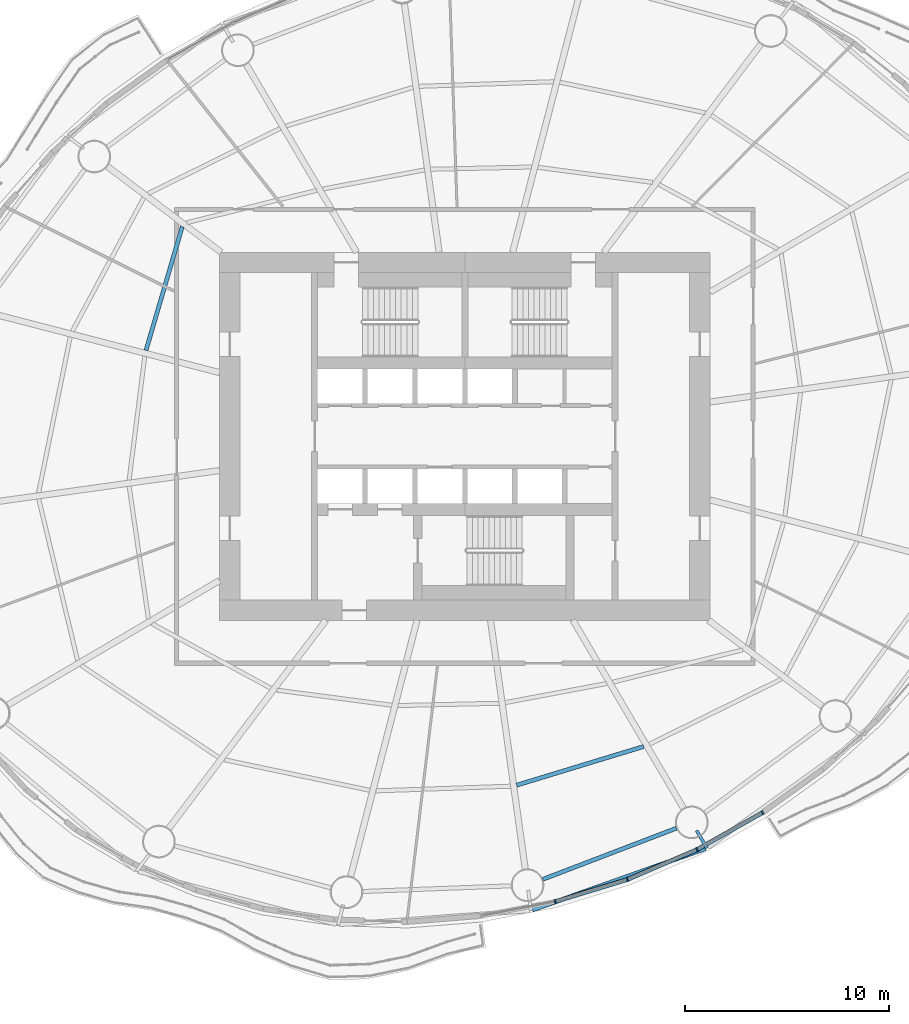
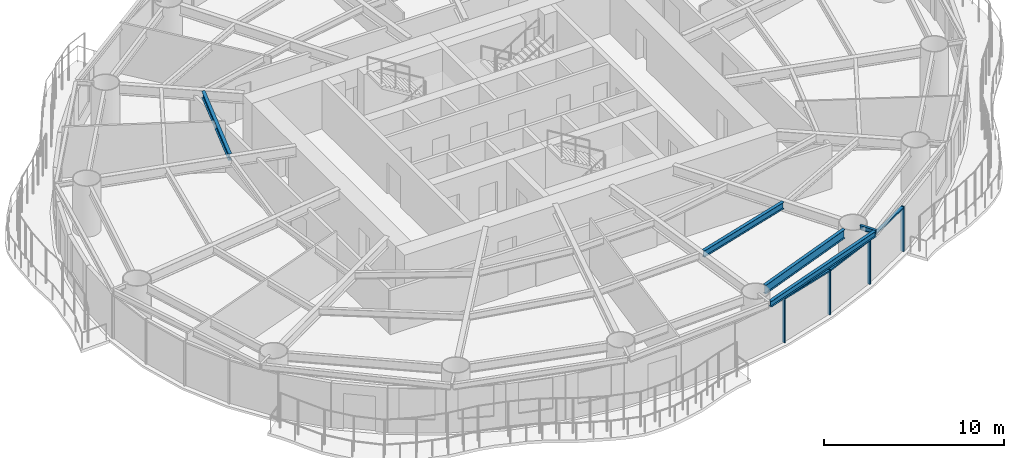
# One storey, part 3 of 16: 7 members, 5 beams, 3 elements without a shape of their own.
"""IFC4 building model written with IfcOpenShell, lengths in metres."""

from ifc_helpers import new_model, si_unit, direction, frame, origin, origin_2d, place, context, subcontext, project, spatial, rectangle, i_section, extrude, material, material_profile, profile_set, type_object, element, aggregate, save


model = new_model("IFC4")

# Units and contexts
model_context = context("Model", 3, precision=1e-05, world=origin(), true_north=direction((0.0, 1.0)))
body_context = subcontext(model_context, "Body", "Model", "MODEL_VIEW")
ifc_project = project(units=[si_unit("LENGTHUNIT", "METRE"), si_unit("AREAUNIT", "SQUARE_METRE"), si_unit("VOLUMEUNIT", "CUBIC_METRE"), si_unit("PLANEANGLEUNIT", "RADIAN"), si_unit("MASSUNIT", "GRAM", prefix="KILO")], contexts=[model_context])

# Site, building, storey
site_placement = place(None, origin())
site = spatial("IfcSite", under=ifc_project, at=site_placement, CompositionType="ELEMENT")
building_placement = place(site_placement, origin())
building = spatial("IfcBuilding", under=site, at=building_placement, Name="Vermilion Reach Broadcast Tower", CompositionType="ELEMENT")
storey_placement = place(building_placement, frame((0.0, 0.0, 113.800048828125)))
storey = spatial("IfcBuildingStorey", under=building, at=storey_placement, Name="L26", CompositionType="ELEMENT", Elevation=113.800048828125)

# Beams
ifc_material_1 = material(Name="Steel S355J2", Category="steel")
ifc_material_profile_1 = material_profile(ifc_material_1, i_section(OverallWidth=0.199951171875, OverallDepth=0.39990234375, WebThickness=0.008056640625, FlangeThickness=0.012939453125, at=origin_2d()), Name="S355J2 HN 400x200x8x13")
ifc_profile_set_1 = profile_set([ifc_material_profile_1], Name="Steel S355J2")
beam_type_1 = type_object("IfcBeamType", Name="EB2 HN 400x200x8x13", PredefinedType="BEAM", material=ifc_profile_set_1)
beam_1_placement = place(storey_placement, frame((-2.68896484375, -23.167724609375, 3.25), z_axis=(0.942430511192, 0.334402050793, 0.0), x_axis=(-0.334402050793, 0.942430511192, 0.0)))
element("IfcBeam", 1, at=beam_1_placement, inside=storey, type_object=beam_type_1, Name="Edge beam EB2-12", PredefinedType="BEAM", context=body_context, shape_type="SweptSolid", body=[
    extrude(i_section(OverallWidth=0.199951171875, OverallDepth=0.39990234375, WebThickness=0.008056640625, FlangeThickness=0.012939453125, at=origin_2d()), origin(), (0.0, 0.0, 1.0), 8.97412109375),
])
ifc_material_2 = material(Name="Steel S355J2", Category="steel")
ifc_material_profile_2 = material_profile(ifc_material_2, i_section(OverallWidth=0.14990234375, OverallDepth=0.300048828125, WebThickness=0.006591796875, FlangeThickness=0.009033203125, at=origin_2d()), Name="S355J2 HN 300x150x6.5x9")
ifc_profile_set_2 = profile_set([ifc_material_profile_2], Name="Steel S355J2")
beam_type_2 = type_object("IfcBeamType", Name="GS2 HN 300x150x6.5x9", PredefinedType="BEAM", material=ifc_profile_set_2)
beam_2_placement = place(storey_placement, frame((5.333740234375, -19.279296875, 3.300048828125), z_axis=(0.506828068037, -0.862047161964, 0.0), x_axis=(0.862047161964, 0.506828068037, 0.0)))
element("IfcBeam", 2, at=beam_2_placement, inside=storey, type_object=beam_type_2, Name="Cantilever stub GS2-13", PredefinedType="BEAM", context=body_context, shape_type="SweptSolid", body=[
    extrude(i_section(OverallWidth=0.14990234375, OverallDepth=0.300048828125, WebThickness=0.006591796875, FlangeThickness=0.009033203125, at=origin_2d()), origin(), (0.0, 0.0, 1.0), 1.0),
])
ifc_material_3 = material(Name="Steel S355J2", Category="steel")
ifc_material_profile_3 = material_profile(ifc_material_3, i_section(OverallWidth=0.199951171875, OverallDepth=0.60009765625, WebThickness=0.010986328125, FlangeThickness=0.01708984375, at=origin_2d()), Name="S355J2 HN 600x200x11x17")
ifc_profile_set_3 = profile_set([ifc_material_profile_3], Name="Steel S355J2")
beam_type_3 = type_object("IfcBeamType", Name="RB2 HN 600x200x11x17", PredefinedType="BEAM", material=ifc_profile_set_3)
beam_3_placement = place(storey_placement, frame((-2.186767578125, -21.669677734375, 3.14990234375), z_axis=(0.933939237212, 0.357431813353, 0.0), x_axis=(-0.357431813353, 0.933939237212, 0.0)))
element("IfcBeam", 3, at=beam_3_placement, inside=storey, type_object=beam_type_3, Name="Ring beam RB2-12", PredefinedType="BEAM", context=body_context, shape_type="SweptSolid", body=[
    extrude(i_section(OverallWidth=0.199951171875, OverallDepth=0.60009765625, WebThickness=0.010986328125, FlangeThickness=0.01708984375, at=origin_2d()), origin(), (0.0, 0.0, 1.0), 7.001953125),
])
ifc_material_4 = material(Name="Steel S355J2", Category="steel")
ifc_material_profile_4 = material_profile(ifc_material_4, i_section(OverallWidth=0.199951171875, OverallDepth=0.449951171875, WebThickness=0.009033203125, FlangeThickness=0.013916015625, at=origin_2d()), Name="S355J2 HN 450x200x9x14")
ifc_profile_set_4 = profile_set([ifc_material_profile_4], Name="Steel S355J2")
beam_type_4 = type_object("IfcBeamType", Name="SB2 HN 450x200x9x14", PredefinedType="BEAM", material=ifc_profile_set_4)
beam_4_placement = place(storey_placement, frame((-19.821533203125, 10.246337890625, 3.224853515625), z_axis=(-0.281175657723, -0.959656318431, 0.0), x_axis=(0.959656318431, -0.281175657723, 0.0)))
element("IfcBeam", 4, at=beam_4_placement, inside=storey, type_object=beam_type_4, Name="Secondary beam SB2-06-1", PredefinedType="BEAM", context=body_context, shape_type="SweptSolid", body=[
    extrude(i_section(OverallWidth=0.199951171875, OverallDepth=0.449951171875, WebThickness=0.009033203125, FlangeThickness=0.013916015625, at=origin_2d()), origin(), (0.0, 0.0, 1.0), 6.298583984375),
])
beam_5_placement = place(storey_placement, frame((-3.46533203125, -17.064697265625, 3.224853515625), z_axis=(0.956596430605, 0.291415972374, 0.0), x_axis=(-0.291415972374, 0.956596430605, 0.0)))
element("IfcBeam", 5, at=beam_5_placement, inside=storey, type_object=beam_type_4, Name="Secondary beam SB2-12-2", PredefinedType="BEAM", context=body_context, shape_type="SweptSolid", body=[
    extrude(i_section(OverallWidth=0.199951171875, OverallDepth=0.449951171875, WebThickness=0.009033203125, FlangeThickness=0.013916015625, at=origin_2d()), origin(), (0.0, 0.0, 1.0), 6.49267578125),
])

# Curtain wall, member
ifc_material_5 = material(Name="Low-e laminated clear glass in aluminium frame", Category="aluminium")
curtain_wall_type = type_object("IfcCurtainWallType", Name="Slot curtain wall", PredefinedType="NOTDEFINED", material=ifc_material_5)
placement = place(storey_placement, origin())
curtain_wall_1 = element("IfcCurtainWall", 6, at=placement, inside=storey, type_object=curtain_wall_type, Name="Slot curtain wall L26 35", PredefinedType="NOTDEFINED")
ifc_material_6 = material(Name="Anodised aluminium", Category="aluminium")
ifc_material_profile_5 = material_profile(ifc_material_6, rectangle(XDim=0.199951171875, YDim=0.080078125, at=origin_2d()), Name="Slot mullion 80 x 200")
ifc_profile_set_5 = profile_set([ifc_material_profile_5], Name="Anodised aluminium")
member_type_1 = type_object("IfcMemberType", Name="Slot mullion 80 x 200", PredefinedType="MULLION", material=ifc_profile_set_5)
member_1_placement = place(storey_placement, frame((-1.578369140625, -22.75927734375, 0.0), z_axis=(0.0, 0.0, 1.0), x_axis=(-0.241821324597, 0.970320795907, 0.0)))
member_1 = element("IfcMember", 7, at=member_1_placement, type_object=member_type_1, Name="Slot mullion L26 35", PredefinedType="MULLION", context=body_context, shape_type="SweptSolid", body=[
    extrude(rectangle(XDim=0.199951171875, YDim=0.080078125, at=origin_2d()), origin(), (0.0, 0.0, 1.0), 3.050048828125),
])

curtain_wall_2 = element("IfcCurtainWall", 8, at=placement, inside=storey, type_object=curtain_wall_type, Name="Slot curtain wall L26 36", PredefinedType="NOTDEFINED")
member_2_placement = place(storey_placement, frame((1.956787109375, -21.672607421875, 0.0), z_axis=(0.0, 0.0, 1.0), x_axis=(-0.344642931874, 0.93873385446, 0.0)))
member_2 = element("IfcMember", 9, at=member_2_placement, type_object=member_type_1, Name="Slot mullion L26 36", PredefinedType="MULLION", context=body_context, shape_type="SweptSolid", body=[
    extrude(rectangle(XDim=0.199951171875, YDim=0.080078125, at=origin_2d()), origin(), (0.0, 0.0, 1.0), 3.050048828125),
])

# Curtain wall, members
curtain_wall_3 = element("IfcCurtainWall", 10, at=placement, inside=storey, type_object=curtain_wall_type, Name="Slot curtain wall L26 37", PredefinedType="NOTDEFINED")
member_3_placement = place(storey_placement, frame((5.355224609375, -20.213623046875, 0.0), z_axis=(0.0, 0.0, 1.0), x_axis=(-0.443476956027, 0.896285774445, 0.0)))
member_3 = element("IfcMember", 11, at=member_3_placement, type_object=member_type_1, Name="Slot mullion L26 37", PredefinedType="MULLION", context=body_context, shape_type="SweptSolid", body=[
    extrude(rectangle(XDim=0.199951171875, YDim=0.080078125, at=origin_2d()), origin(), (0.0, 0.0, 1.0), 3.050048828125),
])
member_4_placement = place(storey_placement, frame((8.558349609375, -18.407470703125, 0.0), z_axis=(0.0, 0.0, 1.0), x_axis=(-0.538197187514, 0.842818952891, 0.0)))
member_4 = element("IfcMember", 12, at=member_4_placement, type_object=member_type_1, Name="Slot mullion L26 38", PredefinedType="MULLION", context=body_context, shape_type="SweptSolid", body=[
    extrude(rectangle(XDim=0.199951171875, YDim=0.080078125, at=origin_2d()), origin(), (0.0, 0.0, 1.0), 3.050048828125),
])

# Member
ifc_material_7 = material(Name="Anodised aluminium", Category="aluminium")
ifc_material_profile_6 = material_profile(ifc_material_7, rectangle(XDim=0.199951171875, YDim=0.10009765625, at=origin_2d()), Name="Slot transom 200 x 100")
ifc_profile_set_6 = profile_set([ifc_material_profile_6], Name="Anodised aluminium")
member_type_2 = type_object("IfcMemberType", Name="Slot transom 200 x 100", PredefinedType="USERDEFINED", material=ifc_profile_set_6)
member_5_placement = place(storey_placement, frame((-1.5400390625, -22.74755859375, 3.0), z_axis=(0.955875241805, 0.293772909072, 0.0), x_axis=(-0.293772909072, 0.955875241805, 0.0)))
member_5 = element("IfcMember", 13, at=member_5_placement, type_object=member_type_2, Name="Slot transom L26 35.1", ObjectType="TRANSOM", PredefinedType="USERDEFINED", context=body_context, shape_type="SweptSolid", body=[
    extrude(rectangle(XDim=0.199951171875, YDim=0.10009765625, at=origin_2d()), origin(), (0.0, 0.0, 1.0), 3.618408203125),
])

aggregate(curtain_wall_1, [member_1, member_5])

member_6_placement = place(storey_placement, frame((1.99365234375, -21.656982421875, 3.0), z_axis=(0.918893570066, 0.394505522004, 0.0), x_axis=(-0.394505522004, 0.918893570066, 0.0)))
member_6 = element("IfcMember", 14, at=member_6_placement, type_object=member_type_2, Name="Slot transom L26 36.1", ObjectType="TRANSOM", PredefinedType="USERDEFINED", context=body_context, shape_type="SweptSolid", body=[
    extrude(rectangle(XDim=0.199951171875, YDim=0.10009765625, at=origin_2d()), origin(), (0.0, 0.0, 1.0), 3.618408203125),
])

aggregate(curtain_wall_2, [member_2, member_6])

member_7_placement = place(storey_placement, frame((5.39013671875, -20.194091796875, 3.0), z_axis=(0.87105665225, 0.491182561347, 0.0), x_axis=(-0.491182561347, 0.87105665225, 0.0)))
member_7 = element("IfcMember", 15, at=member_7_placement, type_object=member_type_2, Name="Slot transom L26 37.1", ObjectType="TRANSOM", PredefinedType="USERDEFINED", context=body_context, shape_type="SweptSolid", body=[
    extrude(rectangle(XDim=0.199951171875, YDim=0.10009765625, at=origin_2d()), origin(), (0.0, 0.0, 1.0), 3.59716796875),
])

aggregate(curtain_wall_3, [member_3, member_4, member_7])

save(model, "model.ifc")
